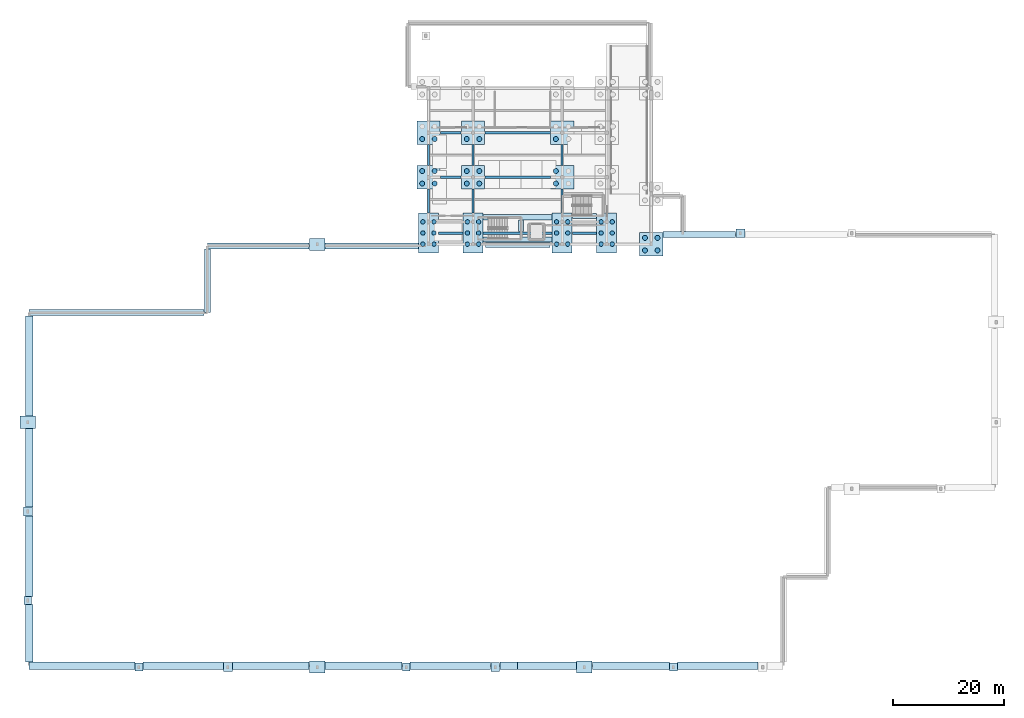
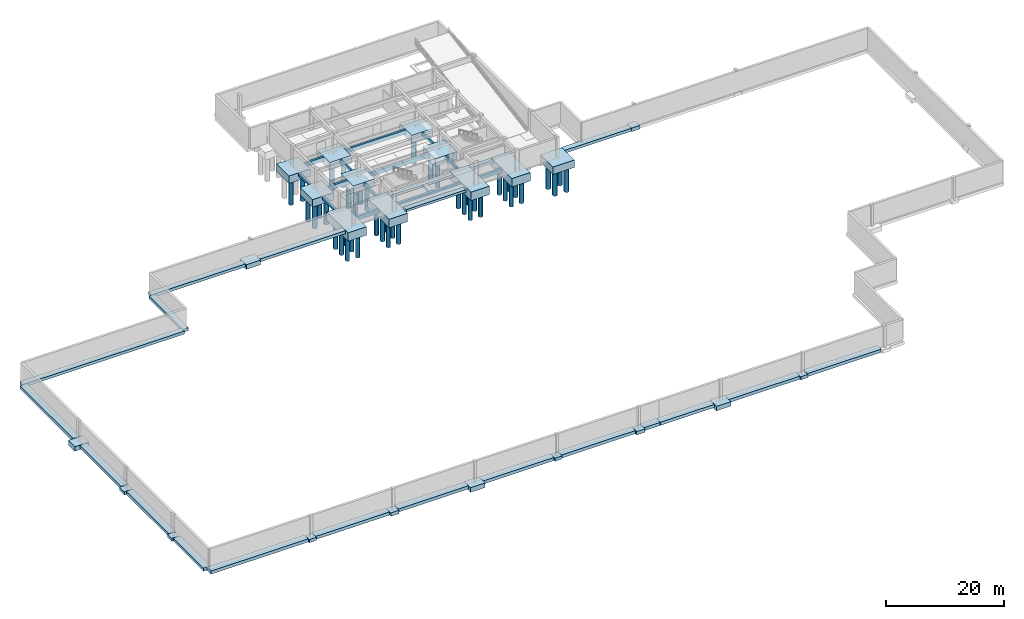
# One storey, part 1 of 11: 59 footings, 43 piles.
"""IFC4 building model written with IfcOpenShell, lengths in metres."""

from ifc_helpers import new_model, si_unit, direction, frame, origin, origin_2d, place, context, subcontext, project, spatial, polyline, rectangle, circle, outline, extrude, material, material_profile, profile_set, type_object, element, save


model = new_model("IFC4")

# Units and contexts
model_context = context("Model", 3, precision=1e-05, world=origin(), true_north=direction((0.0, 1.0)))
body_context = subcontext(model_context, "Body", "Model", "MODEL_VIEW")
ifc_project = project(units=[si_unit("LENGTHUNIT", "METRE"), si_unit("AREAUNIT", "SQUARE_METRE"), si_unit("VOLUMEUNIT", "CUBIC_METRE"), si_unit("PLANEANGLEUNIT", "RADIAN"), si_unit("MASSUNIT", "GRAM", prefix="KILO")], contexts=[model_context])

# Site, building, storey
site_placement = place(None, origin())
site = spatial("IfcSite", under=ifc_project, at=site_placement, CompositionType="ELEMENT")
building_placement = place(site_placement, origin())
building = spatial("IfcBuilding", under=site, at=building_placement, Name="Serraluz Foothill Cableway Terminal", CompositionType="ELEMENT")
storey_placement = place(building_placement, frame((0.0, 0.0, -4.5)))
storey = spatial("IfcBuildingStorey", under=building, at=storey_placement, Name="B1", CompositionType="ELEMENT", Elevation=-4.5)

# Footings
ifc_material_1 = material(Name="Concrete C35/45 (f'c 35 MPa)", Category="concrete")
ifc_material_profile_1 = material_profile(ifc_material_1, rectangle(XDim=0.39990234375, YDim=0.64990234375, at=origin_2d()), Name="RC 400x650")
ifc_profile_set_1 = profile_set([ifc_material_profile_1], Name="Concrete C35/45 (f'c 35 MPa)")
footing_type_1 = type_object("IfcFootingType", Name="TYP-FB-400X650", PredefinedType="FOOTING_BEAM", material=ifc_profile_set_1)
footing_1_placement = place(storey_placement, frame((72.0, 81.6240234375, -0.324951171875), z_axis=(0.0, 1.0, 0.0), x_axis=(-1.0, 0.0, 0.0)))
element("IfcFooting", 1, at=footing_1_placement, inside=storey, type_object=footing_type_1, Name="Seismic Tie Footing Beam FB-014", PredefinedType="FOOTING_BEAM", context=body_context, shape_type="SweptSolid", body=[
    extrude(rectangle(XDim=0.39990234375, YDim=0.64990234375, at=origin_2d()), origin(), (0.0, 0.0, 1.0), 4.251953125),
])
footing_2_placement = place(storey_placement, frame((72.0, 90.1240234375, -0.324951171875), z_axis=(0.0, 1.0, 0.0), x_axis=(-1.0, 0.0, 0.0)))
element("IfcFooting", 2, at=footing_2_placement, inside=storey, type_object=footing_type_1, Name="Seismic Tie Footing Beam FB-015", PredefinedType="FOOTING_BEAM", context=body_context, shape_type="SweptSolid", body=[
    extrude(rectangle(XDim=0.39990234375, YDim=0.64990234375, at=origin_2d()), origin(), (0.0, 0.0, 1.0), 3.751953125),
])
footing_3_placement = place(storey_placement, frame((80.0, 81.6240234375, -0.324951171875), z_axis=(0.0, 1.0, 0.0), x_axis=(-1.0, 0.0, 0.0)))
element("IfcFooting", 3, at=footing_3_placement, inside=storey, type_object=footing_type_1, Name="Seismic Tie Footing Beam FB-017", PredefinedType="FOOTING_BEAM", context=body_context, shape_type="SweptSolid", body=[
    extrude(rectangle(XDim=0.39990234375, YDim=0.64990234375, at=origin_2d()), origin(), (0.0, 0.0, 1.0), 4.251953125),
])
footing_4_placement = place(storey_placement, frame((80.0, 90.1240234375, -0.324951171875), z_axis=(0.0, 1.0, 0.0), x_axis=(-1.0, 0.0, 0.0)))
element("IfcFooting", 4, at=footing_4_placement, inside=storey, type_object=footing_type_1, Name="Seismic Tie Footing Beam FB-018", PredefinedType="FOOTING_BEAM", context=body_context, shape_type="SweptSolid", body=[
    extrude(rectangle(XDim=0.39990234375, YDim=0.64990234375, at=origin_2d()), origin(), (0.0, 0.0, 1.0), 3.751953125),
])
footing_5_placement = place(storey_placement, frame((96.0, 81.6240234375, -0.324951171875), z_axis=(0.0, 1.0, 0.0), x_axis=(-1.0, 0.0, 0.0)))
element("IfcFooting", 5, at=footing_5_placement, inside=storey, type_object=footing_type_1, Name="Seismic Tie Footing Beam FB-020", PredefinedType="FOOTING_BEAM", context=body_context, shape_type="SweptSolid", body=[
    extrude(rectangle(XDim=0.39990234375, YDim=0.64990234375, at=origin_2d()), origin(), (0.0, 0.0, 1.0), 4.251953125),
])
footing_6_placement = place(storey_placement, frame((96.0, 90.1240234375, -0.324951171875), z_axis=(0.0, 1.0, 0.0), x_axis=(-1.0, 0.0, 0.0)))
element("IfcFooting", 6, at=footing_6_placement, inside=storey, type_object=footing_type_1, Name="Seismic Tie Footing Beam FB-021", PredefinedType="FOOTING_BEAM", context=body_context, shape_type="SweptSolid", body=[
    extrude(rectangle(XDim=0.39990234375, YDim=0.64990234375, at=origin_2d()), origin(), (0.0, 0.0, 1.0), 3.751953125),
])
ifc_material_profile_2 = material_profile(ifc_material_1, rectangle(XDim=0.449951171875, YDim=0.800048828125, at=origin_2d()), Name="RC 450x800")
ifc_profile_set_2 = profile_set([ifc_material_profile_2], Name="Concrete C35/45 (f'c 35 MPa)")
footing_type_2 = type_object("IfcFootingType", Name="TYP-FB-450X700", PredefinedType="FOOTING_BEAM", material=ifc_profile_set_2)
footing_7_placement = place(storey_placement, frame((73.823974609375, 78.0, -0.39990234375), z_axis=(1.0, 0.0, 0.0), x_axis=(0.0, 1.0, 0.0)))
element("IfcFooting", 7, at=footing_7_placement, inside=storey, type_object=footing_type_2, Name="Seismic Tie Footing Beam FB-001", PredefinedType="FOOTING_BEAM", context=body_context, shape_type="SweptSolid", body=[
    extrude(rectangle(XDim=0.449951171875, YDim=0.800048828125, at=origin_2d()), origin(), (0.0, 0.0, 1.0), 4.35205078125),
])
footing_8_placement = place(storey_placement, frame((81.823974609375, 78.0, -0.39990234375), z_axis=(1.0, 0.0, 0.0), x_axis=(0.0, 1.0, 0.0)))
element("IfcFooting", 8, at=footing_8_placement, inside=storey, type_object=footing_type_2, Name="Seismic Tie Footing Beam FB-002", PredefinedType="FOOTING_BEAM", context=body_context, shape_type="SweptSolid", body=[
    extrude(rectangle(XDim=0.449951171875, YDim=0.800048828125, at=origin_2d()), origin(), (0.0, 0.0, 1.0), 12.35205078125),
])
footing_9_placement = place(storey_placement, frame((97.823974609375, 78.0, -0.39990234375), z_axis=(1.0, 0.0, 0.0), x_axis=(0.0, 1.0, 0.0)))
element("IfcFooting", 9, at=footing_9_placement, inside=storey, type_object=footing_type_2, Name="Seismic Tie Footing Beam FB-003", PredefinedType="FOOTING_BEAM", context=body_context, shape_type="SweptSolid", body=[
    extrude(rectangle(XDim=0.449951171875, YDim=0.800048828125, at=origin_2d()), origin(), (0.0, 0.0, 1.0), 4.35205078125),
])
footing_10_placement = place(storey_placement, frame((74.1240234375, 88.0, -0.39990234375), z_axis=(1.0, 0.0, 0.0), x_axis=(0.0, 1.0, 0.0)))
element("IfcFooting", 10, at=footing_10_placement, inside=storey, type_object=footing_type_2, Name="Seismic Tie Footing Beam FB-004", PredefinedType="FOOTING_BEAM", context=body_context, shape_type="SweptSolid", body=[
    extrude(rectangle(XDim=0.449951171875, YDim=0.800048828125, at=origin_2d()), origin(), (0.0, 0.0, 1.0), 3.751953125),
])
footing_11_placement = place(storey_placement, frame((82.1240234375, 88.0, -0.39990234375), z_axis=(1.0, 0.0, 0.0), x_axis=(0.0, 1.0, 0.0)))
element("IfcFooting", 11, at=footing_11_placement, inside=storey, type_object=footing_type_2, Name="Seismic Tie Footing Beam FB-005", PredefinedType="FOOTING_BEAM", context=body_context, shape_type="SweptSolid", body=[
    extrude(rectangle(XDim=0.449951171875, YDim=0.800048828125, at=origin_2d()), origin(), (0.0, 0.0, 1.0), 11.751953125),
])
footing_12_placement = place(storey_placement, frame((74.1240234375, 96.0, -0.39990234375), z_axis=(1.0, 0.0, 0.0), x_axis=(0.0, 1.0, 0.0)))
element("IfcFooting", 12, at=footing_12_placement, inside=storey, type_object=footing_type_2, Name="Seismic Tie Footing Beam FB-007", PredefinedType="FOOTING_BEAM", context=body_context, shape_type="SweptSolid", body=[
    extrude(rectangle(XDim=0.449951171875, YDim=0.800048828125, at=origin_2d()), origin(), (0.0, 0.0, 1.0), 3.751953125),
])
footing_13_placement = place(storey_placement, frame((82.1240234375, 96.0, -0.39990234375), z_axis=(1.0, 0.0, 0.0), x_axis=(0.0, 1.0, 0.0)))
element("IfcFooting", 13, at=footing_13_placement, inside=storey, type_object=footing_type_2, Name="Seismic Tie Footing Beam FB-008", PredefinedType="FOOTING_BEAM", context=body_context, shape_type="SweptSolid", body=[
    extrude(rectangle(XDim=0.449951171875, YDim=0.800048828125, at=origin_2d()), origin(), (0.0, 0.0, 1.0), 11.751953125),
])
footing_type_3 = type_object("IfcFootingType", Name="TYP-PAD-1400X1400X650", PredefinedType="PAD_FOOTING", material=ifc_material_1)
for number, where, z_axis, x_axis, name in (
    (14, (20.0, 0.050048828125, -0.64990234375), (0.0, 0.0, 1.0), (1.0, 0.0, 0.0), "Pilaster Pad Footing 42"),
    (15, (68.0, 0.050048828125, -0.64990234375), (0.0, 0.0, 1.0), (1.0, 0.0, 0.0), "Pilaster Pad Footing 45"),
    (16, (116.0, 0.050048828125, -0.64990234375), (0.0, 0.0, 1.0), (1.0, 0.0, 0.0), "Pilaster Pad Footing 48"),
    (17, (0.050048828125, 12.0, -0.64990234375), (0.0, 0.0, 1.0), (1.0, 0.0, 0.0), "Pilaster Pad Footing 57"),
):
    element("IfcFooting", number, at=place(storey_placement, frame(where, z_axis=z_axis, x_axis=x_axis)), inside=storey, type_object=footing_type_3, Name=name, PredefinedType="PAD_FOOTING", context=body_context, shape_type="SweptSolid", body=[
        extrude(rectangle(XDim=1.39990234375, YDim=1.39990234375, at=origin_2d()), origin(), (0.0, 0.0, 1.0), 0.64990234375),
    ])
footing_type_4 = type_object("IfcFootingType", Name="TYP-PAD-1600X1600X700", PredefinedType="PAD_FOOTING", material=ifc_material_1)
for number, where, z_axis, x_axis, name in (
    (18, (36.0, 0.050048828125, -0.7001953125), (0.0, 0.0, 1.0), (1.0, 0.0, 0.0), "Pilaster Pad Footing 43"),
    (19, (84.0, 0.050048828125, -0.7001953125), (0.0, 0.0, 1.0), (1.0, 0.0, 0.0), "Pilaster Pad Footing 46"),
    (20, (128.0, 77.949951171875, -0.7001953125), (0.0, 0.0, 1.0), (1.0, 0.0, 0.0), "Pilaster Pad Footing 55"),
    (21, (0.050048828125, 28.0, -0.7001953125), (0.0, 0.0, 1.0), (1.0, 0.0, 0.0), "Pilaster Pad Footing 58"),
):
    element("IfcFooting", number, at=place(storey_placement, frame(where, z_axis=z_axis, x_axis=x_axis)), inside=storey, type_object=footing_type_4, Name=name, PredefinedType="PAD_FOOTING", context=body_context, shape_type="SweptSolid", body=[
        extrude(rectangle(XDim=1.60009765625, YDim=1.60009765625, at=origin_2d()), origin(), (0.0, 0.0, 1.0), 0.699951171875),
    ])
footing_type_5 = type_object("IfcFootingType", Name="TYP-PAD-2800X2200X950", PredefinedType="PAD_FOOTING", material=ifc_material_1)
for number, where, z_axis, x_axis, name in (
    (22, (52.0, 0.050048828125, -0.9501953125), (0.0, 0.0, 1.0), (1.0, 0.0, 0.0), "Pilaster Pad Footing 44"),
    (23, (100.0, 0.050048828125, -0.9501953125), (0.0, 0.0, 1.0), (1.0, 0.0, 0.0), "Pilaster Pad Footing 47"),
    (24, (52.0, 75.949951171875, -0.9501953125), (0.0, 0.0, 1.0), (1.0, 0.0, 0.0), "Pilaster Pad Footing 56"),
    (25, (0.050048828125, 44.0, -0.9501953125), (0.0, 0.0, 1.0), (1.0, 0.0, 0.0), "Pilaster Pad Footing 59"),
):
    element("IfcFooting", number, at=place(storey_placement, frame(where, z_axis=z_axis, x_axis=x_axis)), inside=storey, type_object=footing_type_5, Name=name, PredefinedType="PAD_FOOTING", context=body_context, shape_type="SweptSolid", body=[
        extrude(rectangle(XDim=2.800048828125, YDim=2.199951171875, at=origin_2d()), origin(), (0.0, 0.0, 1.0), 0.949951171875),
    ])
footing_type_6 = type_object("IfcFootingType", Name="TYP-PC-3600X7200X1750", PredefinedType="PILE_CAP", material=ifc_material_1)
footing_14_placement = place(storey_placement, frame((0.0, 0.0, -1.75)))
element("IfcFooting", 26, at=footing_14_placement, inside=storey, type_object=footing_type_6, Name="Pile Cap FTG-PC-B1-001", PredefinedType="PILE_CAP", context=body_context, shape_type="SweptSolid", body=[
    extrude(outline(polyline([(70.199951171875, 74.39990234375), (73.800048828125, 74.39990234375), (73.800048828125, 81.60009765625), (70.199951171875, 81.60009765625), (70.199951171875, 74.39990234375)])), origin(), (0.0, 0.0, 1.0), 1.75),
])
footing_15_placement = place(storey_placement, frame((0.0, 0.0, -1.75)))
element("IfcFooting", 27, at=footing_15_placement, inside=storey, type_object=footing_type_6, Name="Pile Cap FTG-PC-B1-005", PredefinedType="PILE_CAP", context=body_context, shape_type="SweptSolid", body=[
    extrude(outline(polyline([(78.199951171875, 74.39990234375), (81.800048828125, 74.39990234375), (81.800048828125, 81.60009765625), (78.199951171875, 81.60009765625), (78.199951171875, 74.39990234375)])), origin(), (0.0, 0.0, 1.0), 1.75),
])
footing_16_placement = place(storey_placement, frame((0.0, 0.0, -1.75)))
element("IfcFooting", 28, at=footing_16_placement, inside=storey, type_object=footing_type_6, Name="Pile Cap FTG-PC-B1-009", PredefinedType="PILE_CAP", context=body_context, shape_type="SweptSolid", body=[
    extrude(outline(polyline([(94.199951171875, 74.39990234375), (97.800048828125, 74.39990234375), (97.800048828125, 81.60009765625), (94.199951171875, 81.60009765625), (94.199951171875, 74.39990234375)])), origin(), (0.0, 0.0, 1.0), 1.75),
])
footing_17_placement = place(storey_placement, frame((0.0, 0.0, -1.75)))
element("IfcFooting", 29, at=footing_17_placement, inside=storey, type_object=footing_type_6, Name="Pile Cap FTG-PC-B1-013", PredefinedType="PILE_CAP", context=body_context, shape_type="SweptSolid", body=[
    extrude(outline(polyline([(102.199951171875, 74.39990234375), (105.800048828125, 74.39990234375), (105.800048828125, 81.60009765625), (102.199951171875, 81.60009765625), (102.199951171875, 74.39990234375)])), origin(), (0.0, 0.0, 1.0), 1.75),
])
footing_type_7 = type_object("IfcFootingType", Name="TYP-PC-4200X4200X1550", PredefinedType="PILE_CAP", material=ifc_material_1)
footing_18_placement = place(storey_placement, frame((0.0, 0.0, -1.550048828125)))
element("IfcFooting", 30, at=footing_18_placement, inside=storey, type_object=footing_type_7, Name="Pile Cap FTG-PC-B1-002", PredefinedType="PILE_CAP", context=body_context, shape_type="SweptSolid", body=[
    extrude(outline(polyline([(69.89990234375, 85.89990234375), (74.10009765625, 85.89990234375), (74.10009765625, 90.10009765625), (69.89990234375, 90.10009765625), (69.89990234375, 85.89990234375)])), origin(), (0.0, 0.0, 1.0), 1.550048828125),
])
footing_19_placement = place(storey_placement, frame((0.0, 0.0, -1.550048828125)))
element("IfcFooting", 31, at=footing_19_placement, inside=storey, type_object=footing_type_7, Name="Pile Cap FTG-PC-B1-003", PredefinedType="PILE_CAP", context=body_context, shape_type="SweptSolid", body=[
    extrude(outline(polyline([(69.89990234375, 93.89990234375), (74.10009765625, 93.89990234375), (74.10009765625, 98.10009765625), (69.89990234375, 98.10009765625), (69.89990234375, 93.89990234375)])), origin(), (0.0, 0.0, 1.0), 1.550048828125),
])
footing_20_placement = place(storey_placement, frame((0.0, 0.0, -1.550048828125)))
element("IfcFooting", 32, at=footing_20_placement, inside=storey, type_object=footing_type_7, Name="Pile Cap FTG-PC-B1-006", PredefinedType="PILE_CAP", context=body_context, shape_type="SweptSolid", body=[
    extrude(outline(polyline([(77.89990234375, 85.89990234375), (82.10009765625, 85.89990234375), (82.10009765625, 90.10009765625), (77.89990234375, 90.10009765625), (77.89990234375, 85.89990234375)])), origin(), (0.0, 0.0, 1.0), 1.550048828125),
])
footing_21_placement = place(storey_placement, frame((0.0, 0.0, -1.550048828125)))
element("IfcFooting", 33, at=footing_21_placement, inside=storey, type_object=footing_type_7, Name="Pile Cap FTG-PC-B1-007", PredefinedType="PILE_CAP", context=body_context, shape_type="SweptSolid", body=[
    extrude(outline(polyline([(77.89990234375, 93.89990234375), (82.10009765625, 93.89990234375), (82.10009765625, 98.10009765625), (77.89990234375, 98.10009765625), (77.89990234375, 93.89990234375)])), origin(), (0.0, 0.0, 1.0), 1.550048828125),
])
footing_22_placement = place(storey_placement, frame((0.0, 0.0, -1.550048828125)))
element("IfcFooting", 34, at=footing_22_placement, inside=storey, type_object=footing_type_7, Name="Pile Cap FTG-PC-B1-010", PredefinedType="PILE_CAP", context=body_context, shape_type="SweptSolid", body=[
    extrude(outline(polyline([(93.89990234375, 85.89990234375), (98.10009765625, 85.89990234375), (98.10009765625, 90.10009765625), (93.89990234375, 90.10009765625), (93.89990234375, 85.89990234375)])), origin(), (0.0, 0.0, 1.0), 1.550048828125),
])
footing_23_placement = place(storey_placement, frame((0.0, 0.0, -1.550048828125)))
element("IfcFooting", 35, at=footing_23_placement, inside=storey, type_object=footing_type_7, Name="Pile Cap FTG-PC-B1-011", PredefinedType="PILE_CAP", context=body_context, shape_type="SweptSolid", body=[
    extrude(outline(polyline([(93.89990234375, 93.89990234375), (98.10009765625, 93.89990234375), (98.10009765625, 98.10009765625), (93.89990234375, 98.10009765625), (93.89990234375, 93.89990234375)])), origin(), (0.0, 0.0, 1.0), 1.550048828125),
])
footing_24_placement = place(storey_placement, frame((0.0, 0.0, -1.550048828125)))
element("IfcFooting", 36, at=footing_24_placement, inside=storey, type_object=footing_type_7, Name="Pile Cap FTG-PC-B1-017", PredefinedType="PILE_CAP", context=body_context, shape_type="SweptSolid", body=[
    extrude(outline(polyline([(109.89990234375, 73.89990234375), (114.10009765625, 73.89990234375), (114.10009765625, 78.10009765625), (109.89990234375, 78.10009765625), (109.89990234375, 73.89990234375)])), origin(), (0.0, 0.0, 1.0), 1.550048828125),
])

# Piles
ifc_material_2 = material(Name="Concrete C28/35 (f'c 28 MPa)", Category="concrete")
ifc_material_profile_3 = material_profile(ifc_material_2, circle(Radius=0.39990234375, at=origin_2d()), Name="BORED PILE D800")
ifc_profile_set_3 = profile_set([ifc_material_profile_3], Name="Concrete C28/35 (f'c 28 MPa)")
pile_type_1 = type_object("IfcPileType", Name="TYP-PILE-D800", PredefinedType="BORED", material=ifc_profile_set_3)
for number, where, z_axis, x_axis, name in (
    (37, (71.0, 76.0, -1.64990234375), (0.0, 0.0, -1.0), (1.0, 0.0, 0.0), "Bored Pile PIL-B1-001-01"),
    (38, (71.0, 78.0, -1.64990234375), (0.0, 0.0, -1.0), (1.0, 0.0, 0.0), "Bored Pile PIL-B1-001-02"),
    (39, (71.0, 80.0, -1.64990234375), (0.0, 0.0, -1.0), (1.0, 0.0, 0.0), "Bored Pile PIL-B1-001-03"),
    (40, (73.0, 76.0, -1.64990234375), (0.0, 0.0, -1.0), (1.0, 0.0, 0.0), "Bored Pile PIL-B1-001-04"),
    (41, (73.0, 78.0, -1.64990234375), (0.0, 0.0, -1.0), (1.0, 0.0, 0.0), "Bored Pile PIL-B1-001-05"),
    (42, (73.0, 80.0, -1.64990234375), (0.0, 0.0, -1.0), (1.0, 0.0, 0.0), "Bored Pile PIL-B1-001-06"),
    (43, (79.0, 76.0, -1.64990234375), (0.0, 0.0, -1.0), (1.0, 0.0, 0.0), "Bored Pile PIL-B1-005-01"),
    (44, (79.0, 78.0, -1.64990234375), (0.0, 0.0, -1.0), (1.0, 0.0, 0.0), "Bored Pile PIL-B1-005-02"),
    (45, (79.0, 80.0, -1.64990234375), (0.0, 0.0, -1.0), (1.0, 0.0, 0.0), "Bored Pile PIL-B1-005-03"),
    (46, (81.0, 76.0, -1.64990234375), (0.0, 0.0, -1.0), (1.0, 0.0, 0.0), "Bored Pile PIL-B1-005-04"),
    (47, (81.0, 78.0, -1.64990234375), (0.0, 0.0, -1.0), (1.0, 0.0, 0.0), "Bored Pile PIL-B1-005-05"),
    (48, (81.0, 80.0, -1.64990234375), (0.0, 0.0, -1.0), (1.0, 0.0, 0.0), "Bored Pile PIL-B1-005-06"),
    (49, (95.0, 76.0, -1.64990234375), (0.0, 0.0, -1.0), (1.0, 0.0, 0.0), "Bored Pile PIL-B1-009-01"),
    (50, (95.0, 78.0, -1.64990234375), (0.0, 0.0, -1.0), (1.0, 0.0, 0.0), "Bored Pile PIL-B1-009-02"),
    (51, (95.0, 80.0, -1.64990234375), (0.0, 0.0, -1.0), (1.0, 0.0, 0.0), "Bored Pile PIL-B1-009-03"),
    (52, (97.0, 76.0, -1.64990234375), (0.0, 0.0, -1.0), (1.0, 0.0, 0.0), "Bored Pile PIL-B1-009-04"),
    (53, (97.0, 78.0, -1.64990234375), (0.0, 0.0, -1.0), (1.0, 0.0, 0.0), "Bored Pile PIL-B1-009-05"),
    (54, (97.0, 80.0, -1.64990234375), (0.0, 0.0, -1.0), (1.0, 0.0, 0.0), "Bored Pile PIL-B1-009-06"),
    (55, (103.0, 76.0, -1.64990234375), (0.0, 0.0, -1.0), (1.0, 0.0, 0.0), "Bored Pile PIL-B1-013-01"),
    (56, (103.0, 78.0, -1.64990234375), (0.0, 0.0, -1.0), (1.0, 0.0, 0.0), "Bored Pile PIL-B1-013-02"),
    (57, (103.0, 80.0, -1.64990234375), (0.0, 0.0, -1.0), (1.0, 0.0, 0.0), "Bored Pile PIL-B1-013-03"),
    (58, (105.0, 76.0, -1.64990234375), (0.0, 0.0, -1.0), (1.0, 0.0, 0.0), "Bored Pile PIL-B1-013-04"),
    (59, (105.0, 78.0, -1.64990234375), (0.0, 0.0, -1.0), (1.0, 0.0, 0.0), "Bored Pile PIL-B1-013-05"),
    (60, (105.0, 80.0, -1.64990234375), (0.0, 0.0, -1.0), (1.0, 0.0, 0.0), "Bored Pile PIL-B1-013-06"),
):
    element("IfcPile", number, at=place(storey_placement, frame(where, z_axis=z_axis, x_axis=x_axis)), inside=storey, type_object=pile_type_1, Name=name, PredefinedType="BORED", context=body_context, shape_type="SweptSolid", body=[
        extrude(circle(Radius=0.39990234375, at=origin_2d()), origin(), (0.0, 0.0, 1.0), 5.199951171875),
    ])
ifc_material_profile_4 = material_profile(ifc_material_2, circle(Radius=0.449951171875, at=origin_2d()), Name="BORED PILE D900")
ifc_profile_set_4 = profile_set([ifc_material_profile_4], Name="Concrete C28/35 (f'c 28 MPa)")
pile_type_2 = type_object("IfcPileType", Name="TYP-PILE-D900", PredefinedType="BORED", material=ifc_profile_set_4)
for number, where, z_axis, x_axis, name in (
    (61, (70.875, 86.875, -1.449951171875), (0.0, 0.0, -1.0), (1.0, 0.0, 0.0), "Bored Pile PIL-B1-002-01"),
    (62, (70.875, 89.125, -1.449951171875), (0.0, 0.0, -1.0), (1.0, 0.0, 0.0), "Bored Pile PIL-B1-002-02"),
    (63, (73.125, 86.875, -1.449951171875), (0.0, 0.0, -1.0), (1.0, 0.0, 0.0), "Bored Pile PIL-B1-002-03"),
    (64, (73.125, 89.125, -1.449951171875), (0.0, 0.0, -1.0), (1.0, 0.0, 0.0), "Bored Pile PIL-B1-002-04"),
    (65, (70.875, 94.875, -1.449951171875), (0.0, 0.0, -1.0), (1.0, 0.0, 0.0), "Bored Pile PIL-B1-003-01"),
    (66, (73.125, 94.875, -1.449951171875), (0.0, 0.0, -1.0), (1.0, 0.0, 0.0), "Bored Pile PIL-B1-003-03"),
    (67, (78.875, 86.875, -1.449951171875), (0.0, 0.0, -1.0), (1.0, 0.0, 0.0), "Bored Pile PIL-B1-006-01"),
    (68, (78.875, 89.125, -1.449951171875), (0.0, 0.0, -1.0), (1.0, 0.0, 0.0), "Bored Pile PIL-B1-006-02"),
    (69, (81.125, 86.875, -1.449951171875), (0.0, 0.0, -1.0), (1.0, 0.0, 0.0), "Bored Pile PIL-B1-006-03"),
    (70, (81.125, 89.125, -1.449951171875), (0.0, 0.0, -1.0), (1.0, 0.0, 0.0), "Bored Pile PIL-B1-006-04"),
    (71, (78.875, 94.875, -1.449951171875), (0.0, 0.0, -1.0), (1.0, 0.0, 0.0), "Bored Pile PIL-B1-007-01"),
    (72, (81.125, 94.875, -1.449951171875), (0.0, 0.0, -1.0), (1.0, 0.0, 0.0), "Bored Pile PIL-B1-007-03"),
    (73, (94.875, 86.875, -1.449951171875), (0.0, 0.0, -1.0), (1.0, 0.0, 0.0), "Bored Pile PIL-B1-010-01"),
    (74, (94.875, 89.125, -1.449951171875), (0.0, 0.0, -1.0), (1.0, 0.0, 0.0), "Bored Pile PIL-B1-010-02"),
    (75, (94.875, 94.875, -1.449951171875), (0.0, 0.0, -1.0), (1.0, 0.0, 0.0), "Bored Pile PIL-B1-011-01"),
    (76, (110.875, 74.875, -1.449951171875), (0.0, 0.0, -1.0), (1.0, 0.0, 0.0), "Bored Pile PIL-B1-017-01"),
    (77, (110.875, 77.125, -1.449951171875), (0.0, 0.0, -1.0), (1.0, 0.0, 0.0), "Bored Pile PIL-B1-017-02"),
    (78, (113.125, 74.875, -1.449951171875), (0.0, 0.0, -1.0), (1.0, 0.0, 0.0), "Bored Pile PIL-B1-017-03"),
    (79, (113.125, 77.125, -1.449951171875), (0.0, 0.0, -1.0), (1.0, 0.0, 0.0), "Bored Pile PIL-B1-017-04"),
):
    element("IfcPile", number, at=place(storey_placement, frame(where, z_axis=z_axis, x_axis=x_axis)), inside=storey, type_object=pile_type_2, Name=name, PredefinedType="BORED", context=body_context, shape_type="SweptSolid", body=[
        extrude(circle(Radius=0.449951171875, at=origin_2d()), origin(), (0.0, 0.0, 1.0), 5.199951171875),
    ])

# Footings
ifc_material_profile_5 = material_profile(ifc_material_1, rectangle(XDim=1.10009765625, YDim=0.60009765625, at=origin_2d()), Name="SF 1100x600")
ifc_profile_set_5 = profile_set([ifc_material_profile_5], Name="Concrete C35/45 (f'c 35 MPa)")
footing_type_8 = type_object("IfcFootingType", Name="TYP-SF-1100X600", PredefinedType="STRIP_FOOTING", material=ifc_profile_set_5)
footing_25_placement = place(storey_placement, frame((127.176025390625, 77.699951171875, -0.300048828125), z_axis=(-1.0, 0.0, 0.0), x_axis=(0.0, -1.0, 0.0)))
element("IfcFooting", 80, at=footing_25_placement, inside=storey, type_object=footing_type_8, Name="Continuous Strip Footing SF-PLN-N-01-3", PredefinedType="STRIP_FOOTING", context=body_context, shape_type="SweptSolid", body=[
    extrude(rectangle(XDim=1.10009765625, YDim=0.60009765625, at=origin_2d()), origin(), (0.0, 0.0, 1.0), 13.052001953125),
])
footing_26_placement = place(storey_placement, frame((70.176025390625, 75.699951171875, -0.300048828125), z_axis=(-1.0, 0.0, 0.0), x_axis=(0.0, -1.0, 0.0)))
element("IfcFooting", 81, at=footing_26_placement, inside=storey, type_object=footing_type_8, Name="Continuous Strip Footing SF-PLN-N-04-1", PredefinedType="STRIP_FOOTING", context=body_context, shape_type="SweptSolid", body=[
    extrude(rectangle(XDim=1.10009765625, YDim=0.60009765625, at=origin_2d()), origin(), (0.0, 0.0, 1.0), 16.751953125),
])
footing_27_placement = place(storey_placement, frame((50.575927734375, 75.699951171875, -0.300048828125), z_axis=(-1.0, 0.0, 0.0), x_axis=(0.0, -1.0, 0.0)))
element("IfcFooting", 82, at=footing_27_placement, inside=storey, type_object=footing_type_8, Name="Continuous Strip Footing SF-PLN-N-04-2", PredefinedType="STRIP_FOOTING", context=body_context, shape_type="SweptSolid", body=[
    extrude(rectangle(XDim=1.10009765625, YDim=0.60009765625, at=origin_2d()), origin(), (0.0, 0.0, 1.0), 18.27587890625),
])
footing_28_placement = place(storey_placement, frame((32.300048828125, 75.1259765625, -0.300048828125), z_axis=(0.0, -1.0, 0.0), x_axis=(1.0, 0.0, 0.0)))
element("IfcFooting", 83, at=footing_28_placement, inside=storey, type_object=footing_type_8, Name="Continuous Strip Footing SF-PLN-W-02", PredefinedType="STRIP_FOOTING", context=body_context, shape_type="SweptSolid", body=[
    extrude(rectangle(XDim=1.10009765625, YDim=0.60009765625, at=origin_2d()), origin(), (0.0, 0.0, 1.0), 11.426025390625),
])
footing_29_placement = place(storey_placement, frame((31.72607421875, 63.699951171875, -0.300048828125), z_axis=(-1.0, 0.0, 0.0), x_axis=(0.0, -1.0, 0.0)))
element("IfcFooting", 84, at=footing_29_placement, inside=storey, type_object=footing_type_8, Name="Continuous Strip Footing SF-PLN-N-05", PredefinedType="STRIP_FOOTING", context=body_context, shape_type="SweptSolid", body=[
    extrude(rectangle(XDim=1.10009765625, YDim=0.60009765625, at=origin_2d()), origin(), (0.0, 0.0, 1.0), 31.426025390625),
])
ifc_material_profile_6 = material_profile(ifc_material_1, rectangle(XDim=1.35009765625, YDim=0.64990234375, at=origin_2d()), Name="SF 1350x650")
ifc_profile_set_6 = profile_set([ifc_material_profile_6], Name="Concrete C35/45 (f'c 35 MPa)")
footing_type_9 = type_object("IfcFootingType", Name="TYP-SF-1350X650", PredefinedType="STRIP_FOOTING", material=ifc_profile_set_6)
footing_30_placement = place(storey_placement, frame((0.300048828125, 0.300048828125, -0.324951171875), z_axis=(1.0, 0.0, 0.0), x_axis=(0.0, 1.0, 0.0)))
element("IfcFooting", 85, at=footing_30_placement, inside=storey, type_object=footing_type_9, Name="Continuous Strip Footing SF-PLN-S-01-1", PredefinedType="STRIP_FOOTING", context=body_context, shape_type="SweptSolid", body=[
    extrude(rectangle(XDim=1.35009765625, YDim=0.64990234375, at=origin_2d()), origin(), (0.0, 0.0, 1.0), 18.975830078125),
])
footing_31_placement = place(storey_placement, frame((20.72412109375, 0.300048828125, -0.324951171875), z_axis=(1.0, 0.0, 0.0), x_axis=(0.0, 1.0, 0.0)))
element("IfcFooting", 86, at=footing_31_placement, inside=storey, type_object=footing_type_9, Name="Continuous Strip Footing SF-PLN-S-01-2", PredefinedType="STRIP_FOOTING", context=body_context, shape_type="SweptSolid", body=[
    extrude(rectangle(XDim=1.35009765625, YDim=0.64990234375, at=origin_2d()), origin(), (0.0, 0.0, 1.0), 14.451904296875),
])
footing_32_placement = place(storey_placement, frame((36.823974609375, 0.300048828125, -0.324951171875), z_axis=(1.0, 0.0, 0.0), x_axis=(0.0, 1.0, 0.0)))
element("IfcFooting", 87, at=footing_32_placement, inside=storey, type_object=footing_type_9, Name="Continuous Strip Footing SF-PLN-S-01-3", PredefinedType="STRIP_FOOTING", context=body_context, shape_type="SweptSolid", body=[
    extrude(rectangle(XDim=1.35009765625, YDim=0.64990234375, at=origin_2d()), origin(), (0.0, 0.0, 1.0), 13.751953125),
])
footing_33_placement = place(storey_placement, frame((53.424072265625, 0.300048828125, -0.324951171875), z_axis=(1.0, 0.0, 0.0), x_axis=(0.0, 1.0, 0.0)))
element("IfcFooting", 88, at=footing_33_placement, inside=storey, type_object=footing_type_9, Name="Continuous Strip Footing SF-PLN-S-01-4", PredefinedType="STRIP_FOOTING", context=body_context, shape_type="SweptSolid", body=[
    extrude(rectangle(XDim=1.35009765625, YDim=0.64990234375, at=origin_2d()), origin(), (0.0, 0.0, 1.0), 13.851806640625),
])
footing_34_placement = place(storey_placement, frame((68.72412109375, 0.300048828125, -0.324951171875), z_axis=(1.0, 0.0, 0.0), x_axis=(0.0, 1.0, 0.0)))
element("IfcFooting", 89, at=footing_34_placement, inside=storey, type_object=footing_type_9, Name="Continuous Strip Footing SF-PLN-S-01-5", PredefinedType="STRIP_FOOTING", context=body_context, shape_type="SweptSolid", body=[
    extrude(rectangle(XDim=1.35009765625, YDim=0.64990234375, at=origin_2d()), origin(), (0.0, 0.0, 1.0), 14.451904296875),
])
footing_35_placement = place(storey_placement, frame((84.823974609375, 0.300048828125, -0.324951171875), z_axis=(1.0, 0.0, 0.0), x_axis=(0.0, 1.0, 0.0)))
element("IfcFooting", 90, at=footing_35_placement, inside=storey, type_object=footing_type_9, Name="Continuous Strip Footing SF-PLN-S-01-6", PredefinedType="STRIP_FOOTING", context=body_context, shape_type="SweptSolid", body=[
    extrude(rectangle(XDim=1.35009765625, YDim=0.64990234375, at=origin_2d()), origin(), (0.0, 0.0, 1.0), 3.176025390625),
])
footing_36_placement = place(storey_placement, frame((88.02392578125, 0.300048828125, -0.324951171875), z_axis=(1.0, 0.0, 0.0), x_axis=(0.0, 1.0, 0.0)))
element("IfcFooting", 91, at=footing_36_placement, inside=storey, type_object=footing_type_9, Name="Continuous Strip Footing SF-PLN-S-02-1", PredefinedType="STRIP_FOOTING", context=body_context, shape_type="SweptSolid", body=[
    extrude(rectangle(XDim=1.35009765625, YDim=0.64990234375, at=origin_2d()), origin(), (0.0, 0.0, 1.0), 10.552001953125),
])
footing_37_placement = place(storey_placement, frame((101.424072265625, 0.300048828125, -0.324951171875), z_axis=(1.0, 0.0, 0.0), x_axis=(0.0, 1.0, 0.0)))
element("IfcFooting", 92, at=footing_37_placement, inside=storey, type_object=footing_type_9, Name="Continuous Strip Footing SF-PLN-S-02-2", PredefinedType="STRIP_FOOTING", context=body_context, shape_type="SweptSolid", body=[
    extrude(rectangle(XDim=1.35009765625, YDim=0.64990234375, at=origin_2d()), origin(), (0.0, 0.0, 1.0), 13.851806640625),
])
footing_38_placement = place(storey_placement, frame((116.72412109375, 0.300048828125, -0.324951171875), z_axis=(1.0, 0.0, 0.0), x_axis=(0.0, 1.0, 0.0)))
element("IfcFooting", 93, at=footing_38_placement, inside=storey, type_object=footing_type_9, Name="Continuous Strip Footing SF-PLN-S-02-3", PredefinedType="STRIP_FOOTING", context=body_context, shape_type="SweptSolid", body=[
    extrude(rectangle(XDim=1.35009765625, YDim=0.64990234375, at=origin_2d()), origin(), (0.0, 0.0, 1.0), 14.451904296875),
])
footing_39_placement = place(storey_placement, frame((0.300048828125, 63.1259765625, -0.324951171875), z_axis=(0.0, -1.0, 0.0), x_axis=(1.0, 0.0, 0.0)))
element("IfcFooting", 94, at=footing_39_placement, inside=storey, type_object=footing_type_9, Name="Continuous Strip Footing SF-PLN-W-03-1", PredefinedType="STRIP_FOOTING", context=body_context, shape_type="SweptSolid", body=[
    extrude(rectangle(XDim=1.35009765625, YDim=0.64990234375, at=origin_2d()), origin(), (0.0, 0.0, 1.0), 18.001953125),
])
footing_40_placement = place(storey_placement, frame((0.300048828125, 42.8759765625, -0.324951171875), z_axis=(0.0, -1.0, 0.0), x_axis=(1.0, 0.0, 0.0)))
element("IfcFooting", 95, at=footing_40_placement, inside=storey, type_object=footing_type_9, Name="Continuous Strip Footing SF-PLN-W-03-2", PredefinedType="STRIP_FOOTING", context=body_context, shape_type="SweptSolid", body=[
    extrude(rectangle(XDim=1.35009765625, YDim=0.64990234375, at=origin_2d()), origin(), (0.0, 0.0, 1.0), 14.052001953125),
])
footing_41_placement = place(storey_placement, frame((0.300048828125, 27.176025390625, -0.324951171875), z_axis=(0.0, -1.0, 0.0), x_axis=(1.0, 0.0, 0.0)))
element("IfcFooting", 96, at=footing_41_placement, inside=storey, type_object=footing_type_9, Name="Continuous Strip Footing SF-PLN-W-03-3", PredefinedType="STRIP_FOOTING", context=body_context, shape_type="SweptSolid", body=[
    extrude(rectangle(XDim=1.35009765625, YDim=0.64990234375, at=origin_2d()), origin(), (0.0, 0.0, 1.0), 14.451904296875),
])
footing_42_placement = place(storey_placement, frame((0.300048828125, 11.27587890625, -0.324951171875), z_axis=(0.0, -1.0, 0.0), x_axis=(1.0, 0.0, 0.0)))
element("IfcFooting", 97, at=footing_42_placement, inside=storey, type_object=footing_type_9, Name="Continuous Strip Footing SF-PLN-W-03-4", PredefinedType="STRIP_FOOTING", context=body_context, shape_type="SweptSolid", body=[
    extrude(rectangle(XDim=1.35009765625, YDim=0.64990234375, at=origin_2d()), origin(), (0.0, 0.0, 1.0), 10.27685546875),
])
ifc_material_profile_7 = material_profile(ifc_material_1, rectangle(XDim=0.89990234375, YDim=0.5, at=origin_2d()), Name="SF 900x500")
ifc_profile_set_7 = profile_set([ifc_material_profile_7], Name="Concrete C35/45 (f'c 35 MPa)")
footing_type_10 = type_object("IfcFootingType", Name="TYP-SF-900X500", PredefinedType="STRIP_FOOTING", material=ifc_profile_set_7)
footing_43_placement = place(storey_placement, frame((82.199951171875, 75.8798828125, -0.25), z_axis=(1.0, 0.0, 0.0), x_axis=(0.0, 1.0, 0.0)))
element("IfcFooting", 98, at=footing_43_placement, inside=storey, type_object=footing_type_10, Name="Continuous Strip Footing SF-B1-S", PredefinedType="STRIP_FOOTING", context=body_context, shape_type="SweptSolid", body=[
    extrude(rectangle(XDim=0.89990234375, YDim=0.5, at=origin_2d()), origin(), (0.0, 0.0, 1.0), 11.60009765625),
])
for number, where, z_axis, x_axis, name in (
    (99, (81.823974609375, 76.85009765625, -0.25), (1.0, 0.0, 0.0), (0.0, 1.0, 0.0), "Continuous Strip Footing SF-CORE-8-S"),
    (100, (81.823974609375, 80.830078125, -0.25), (1.0, 0.0, 0.0), (0.0, 1.0, 0.0), "Continuous Strip Footing SF-CORE-8-N"),
):
    element("IfcFooting", number, at=place(storey_placement, frame(where, z_axis=z_axis, x_axis=x_axis)), inside=storey, type_object=footing_type_10, Name=name, PredefinedType="STRIP_FOOTING", context=body_context, shape_type="SweptSolid", body=[
        extrude(rectangle(XDim=0.89990234375, YDim=0.5, at=origin_2d()), origin(), (0.0, 0.0, 1.0), 12.35205078125),
    ])
footing_44_placement = place(storey_placement, frame((88.659912109375, 78.2490234375, -0.25), z_axis=(0.0, 1.0, 0.0), x_axis=(-1.0, 0.0, 0.0)))
element("IfcFooting", 101, at=footing_44_placement, inside=storey, type_object=footing_type_10, Name="Continuous Strip Footing SF-CORE-8-E", PredefinedType="STRIP_FOOTING", context=body_context, shape_type="SweptSolid", body=[
    extrude(rectangle(XDim=0.89990234375, YDim=0.5, at=origin_2d()), origin(), (0.0, 0.0, 1.0), 2.10693359375),
])
footing_45_placement = place(storey_placement, frame((97.823974609375, 81.050048828125, -0.25), z_axis=(1.0, 0.0, 0.0), x_axis=(0.0, 1.0, 0.0)))
element("IfcFooting", 102, at=footing_45_placement, inside=storey, type_object=footing_type_10, Name="Continuous Strip Footing SF-CORE-9-S", PredefinedType="STRIP_FOOTING", context=body_context, shape_type="SweptSolid", body=[
    extrude(rectangle(XDim=0.89990234375, YDim=0.5, at=origin_2d()), origin(), (0.0, 0.0, 1.0), 4.35205078125),
])

save(model, "model.ifc")
